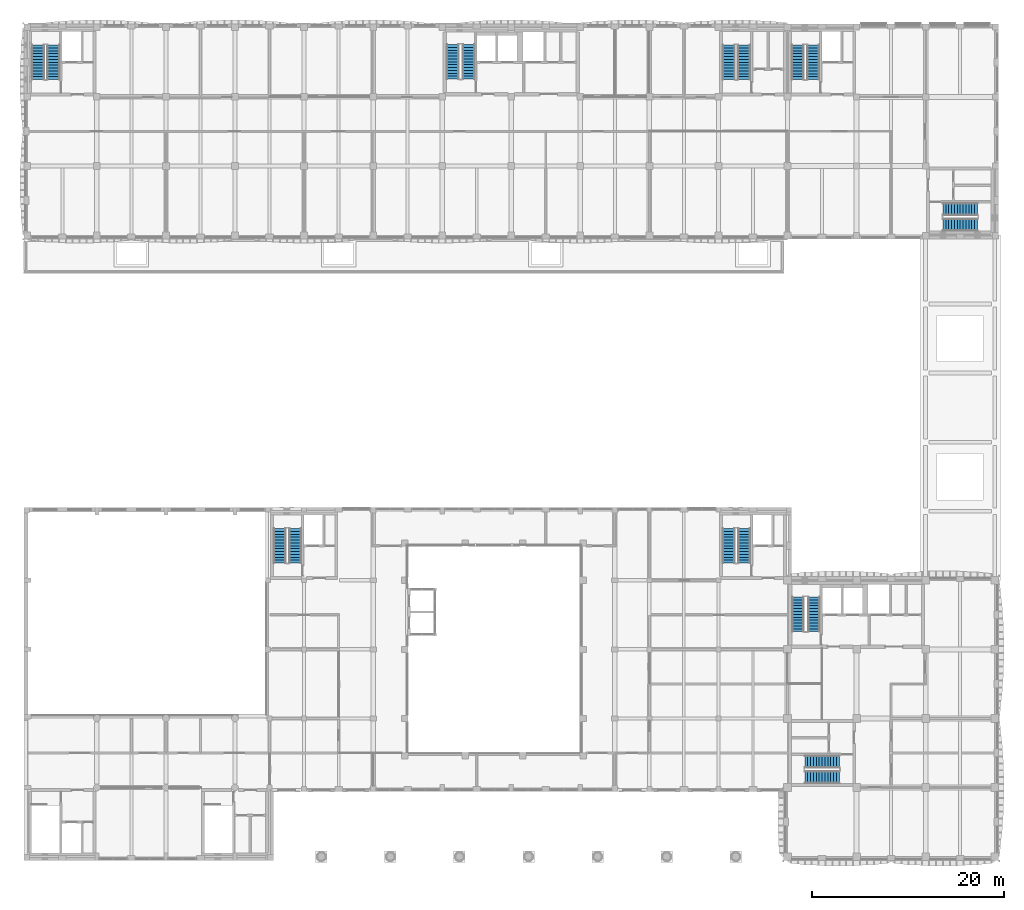
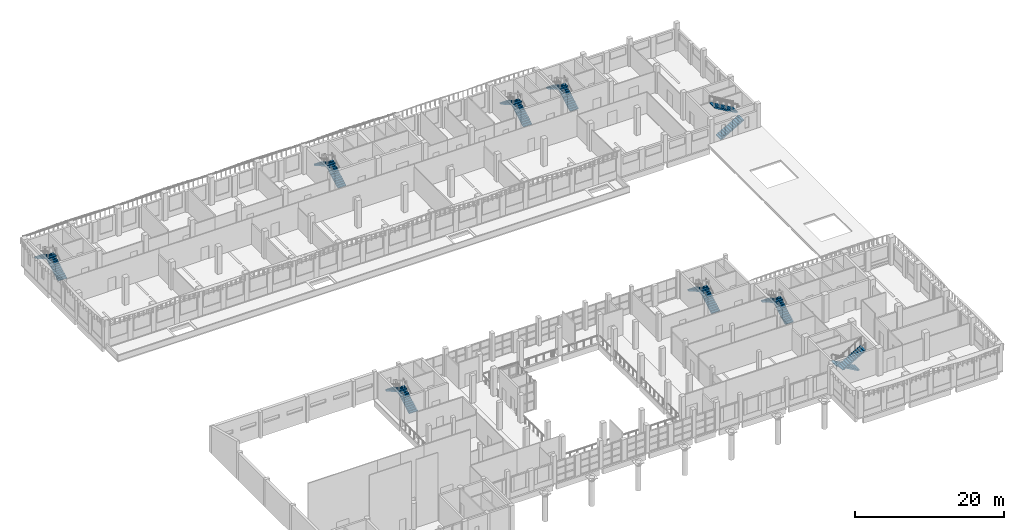
# One storey, part 33 of 59: 18 stair flights, 9 elements without a shape of their own.
"""IFC4 building model written with IfcOpenShell, lengths in metres."""

import ifcopenshell
import ifcopenshell.guid

model = None  # the IFC model being written
_history = None  # IfcOwnerHistory: only IFC2X3 demands one
_inside = {}  # id of a spatial element -> (the spatial element, [elements in it])
_under = {}  # id of a project, library or spatial element -> (it, [spatial elements below it])
_declared = {}  # id of a project -> (the project, [libraries it declares])
_typed = {}  # id of a type object -> (the type object, [elements of that type])
_made_of = {}  # id of a material, layer set ... -> (it, [elements and type objects made of it])


def new_model(schema):
    """Start an empty IFC model of exactly this schema.

    Asked for "IFC4X3", IfcOpenShell would pick the latest addendum, in which some entities
    have other attributes; the version numbers below select the first issue.
    IFC2X3 requires an IfcOwnerHistory on every rooted entity: one is made here for all.
    """
    global model, _history
    if schema == "IFC4X3":
        model = ifcopenshell.file(schema_version=(4, 3, 0, 0))
    else:
        model = ifcopenshell.file(schema=schema)
    _inside.clear()
    _under.clear()
    _declared.clear()
    _typed.clear()
    _made_of.clear()
    _history = None
    if model.schema == "IFC2X3":
        org = make("IfcOrganization", Name="unknown")
        user = make(
            "IfcPersonAndOrganization",
            ThePerson=make("IfcPerson", FamilyName="unknown"),
            TheOrganization=org,
        )
        app = make(
            "IfcApplication",
            ApplicationDeveloper=org,
            Version="unknown",
            ApplicationFullName="unknown",
            ApplicationIdentifier="unknown",
        )
        _history = make(
            "IfcOwnerHistory",
            OwningUser=user,
            OwningApplication=app,
            ChangeAction="ADDED",
            CreationDate=0,
        )
    return model


def make(cls, **values):
    """One entity of the class cls with the attributes given. An attribute that is None is left unset."""
    return model.create_entity(
        cls, **{name: value for name, value in values.items() if value is not None}
    )


def rooted(cls, **values):
    """An entity with a GlobalId (a new one), such as an element, a storey or a relation."""
    return make(cls, GlobalId=ifcopenshell.guid.new(), OwnerHistory=_history, **values)


def si_unit(unit_type, name, prefix=None):
    """IfcSIUnit, for example si_unit("LENGTHUNIT", "METRE", prefix="MILLI")."""
    return make("IfcSIUnit", UnitType=unit_type, Prefix=prefix, Name=name)


def assignment(units):
    """IfcUnitAssignment: the units of a project."""
    return None if units is None else make("IfcUnitAssignment", Units=units)


def point(xyz):
    """IfcCartesianPoint."""
    return None if xyz is None else make("IfcCartesianPoint", Coordinates=xyz)


def direction(xyz):
    """IfcDirection."""
    return None if xyz is None else make("IfcDirection", DirectionRatios=xyz)


def frame(location, z_axis=None, x_axis=None):
    """IfcAxis2Placement3D, a coordinate frame: its origin and axes. An axis left out is left unset."""
    return make(
        "IfcAxis2Placement3D",
        Location=point(location),
        Axis=direction(z_axis),
        RefDirection=direction(x_axis),
    )


def origin():
    """The frame at (0, 0, 0) with its axes left unset."""
    return frame((0.0, 0.0, 0.0))


def place(relative_to, where):
    """IfcLocalPlacement: puts the frame where relative to a parent placement (None: the world)."""
    return make(
        "IfcLocalPlacement", PlacementRelTo=relative_to, RelativePlacement=where
    )


def context(
    kind, dimensions, precision=None, world=None, true_north=None, identifier=None
):
    """IfcGeometricRepresentationContext, for example the 3D "Model" context."""
    return make(
        "IfcGeometricRepresentationContext",
        ContextIdentifier=identifier,
        ContextType=kind,
        CoordinateSpaceDimension=dimensions,
        Precision=precision,
        WorldCoordinateSystem=world,
        TrueNorth=true_north,
    )


def subcontext(parent, identifier, kind, view, scale=None):
    """IfcGeometricRepresentationSubContext, for example "Body" below "Model"."""
    return make(
        "IfcGeometricRepresentationSubContext",
        ContextIdentifier=identifier,
        ContextType=kind,
        ParentContext=parent,
        TargetScale=scale,
        TargetView=view,
    )


def project(units=None, contexts=None):
    """IfcProject with its units and contexts."""
    return rooted(
        "IfcProject",
        Name="project",
        RepresentationContexts=contexts,
        UnitsInContext=assignment(units),
    )


def spatial(cls, under=None, at=None, **own):
    """A site, building, storey or space (cls), placed at a placement, below another one or the project."""
    s = rooted(cls, ObjectPlacement=at, **own)
    if under is not None:
        _under.setdefault(under.id(), (under, []))[1].append(s)
    return s


def polyline(points):
    """IfcPolyline through the points."""
    return make("IfcPolyline", Points=[point(p) for p in points])


def outline(outer, holes=None, kind="AREA"):
    """IfcArbitraryClosedProfileDef: a profile drawn as a closed curve; with holes, ...WithVoids."""
    if holes is None:
        return make("IfcArbitraryClosedProfileDef", ProfileType=kind, OuterCurve=outer)
    return make(
        "IfcArbitraryProfileDefWithVoids",
        ProfileType=kind,
        OuterCurve=outer,
        InnerCurves=holes,
    )


def extrude(swept, where, along, depth):
    """IfcExtrudedAreaSolid: the profile swept, set in the frame where, extruded along a direction by depth."""
    return make(
        "IfcExtrudedAreaSolid",
        SweptArea=swept,
        Position=where,
        ExtrudedDirection=direction(along),
        Depth=depth,
    )


def shape(context_of_items, identifier, shape_type, items):
    """IfcShapeRepresentation: the items that make up one representation, for example the "Body"."""
    return make(
        "IfcShapeRepresentation",
        ContextOfItems=context_of_items,
        RepresentationIdentifier=identifier,
        RepresentationType=shape_type,
        Items=items,
    )


def material(Name=None, Category=None):
    """IfcMaterial."""
    return make("IfcMaterial", Name=Name, Category=Category)


def made_of(thing, what):
    """Note that an element or type object is made of a material, layer set ...; save() writes the relation."""
    if what is not None:
        _made_of.setdefault(what.id(), (what, []))[1].append(thing)
    return thing


def type_object(cls, material=None, **own):
    """A type object (cls), such as IfcWallType, which elements share."""
    return made_of(rooted(cls, **own), material)


def element(
    cls,
    number,
    at=None,
    inside=None,
    cuts=None,
    type_object=None,
    material=None,
    context=None,
    identifier="Body",
    shape_type=None,
    held_by="IfcProductDefinitionShape",
    body=None,
    shapes=None,
    **own,
):
    """One element of the class cls, such as IfcWall. Its Tag is "e" and its number.

    at: its placement. inside: the storey or other place that contains it. cuts: it is an
    opening in that element (IfcRelVoidsElement). A single representation is given by context,
    identifier, shape_type and body (its items); several are given by shapes. held_by: the class
    of the entity that holds the representations. save() writes the other relations.
    """
    e = rooted(cls, Tag="e%d" % number, ObjectPlacement=at, **own)
    if body is not None:
        shapes = [shape(context, identifier, shape_type, body)]
    if shapes is not None:
        e.Representation = make(held_by, Representations=shapes)
    if inside is not None:
        _inside.setdefault(inside.id(), (inside, []))[1].append(e)
    if cuts is not None:
        rooted(
            "IfcRelVoidsElement", RelatingBuildingElement=cuts, RelatedOpeningElement=e
        )
    if type_object is not None:
        _typed.setdefault(type_object.id(), (type_object, []))[1].append(e)
    return made_of(e, material)


def aggregate(whole, parts):
    """IfcRelAggregates: a whole, such as a stair, and the parts it consists of."""
    return rooted("IfcRelAggregates", RelatingObject=whole, RelatedObjects=parts)


def save(model, path):
    """Write the relations noted so far, then the file.

    IfcRelAggregates (storeys below a building ...), IfcRelContainedInSpatialStructure (elements
    in a storey), IfcRelDefinesByType, IfcRelAssociatesMaterial and IfcRelDeclares: one each for
    every whole, place, type object, material and project.
    """
    for whole, parts in _under.values():
        aggregate(whole, parts)
    for where, things in _inside.values():
        rooted(
            "IfcRelContainedInSpatialStructure",
            RelatedElements=things,
            RelatingStructure=where,
        )
    for kind, things in _typed.values():
        rooted("IfcRelDefinesByType", RelatedObjects=things, RelatingType=kind)
    for what, things in _made_of.values():
        rooted("IfcRelAssociatesMaterial", RelatedObjects=things, RelatingMaterial=what)
    for by, libraries in _declared.values():
        rooted("IfcRelDeclares", RelatingContext=by, RelatedDefinitions=libraries)
    model.write(path)


model = new_model("IFC4")

# Units and contexts
model_context = context("Model", 3, precision=1e-05, world=origin(), true_north=direction((0.0, 1.0)))
body_context = subcontext(model_context, "Body", "Model", "MODEL_VIEW")
ifc_project = project(units=[si_unit("LENGTHUNIT", "METRE"), si_unit("AREAUNIT", "SQUARE_METRE"), si_unit("VOLUMEUNIT", "CUBIC_METRE"), si_unit("PLANEANGLEUNIT", "RADIAN"), si_unit("MASSUNIT", "GRAM", prefix="KILO")], contexts=[model_context])

# Site, building, storey
site_placement = place(None, origin())
site = spatial("IfcSite", under=ifc_project, at=site_placement, CompositionType="ELEMENT")
building_placement = place(site_placement, origin())
building = spatial("IfcBuilding", under=site, at=building_placement, Name="Ussher Court Research Institute", CompositionType="ELEMENT")
storey_placement = place(building_placement, frame((0.0, 0.0, 5.39990234375)))
storey = spatial("IfcBuildingStorey", under=building, at=storey_placement, Name="L01", CompositionType="ELEMENT", Elevation=5.39990234375)

# Stair, stair flights
ifc_material_1 = material(Name="Concrete C35/45", Category="concrete")
stair_type_1 = type_object("IfcStairType", Name="Core stair 26 risers 173 mm x 300 going 1280 wide", PredefinedType="HALF_TURN_STAIR", material=ifc_material_1)
stair_1_placement = place(storey_placement, origin())
stair_1 = element("IfcStair", 1, at=stair_1_placement, inside=storey, type_object=stair_type_1, Name="L01 Stair D2", PredefinedType="HALF_TURN_STAIR")
ifc_material_2 = material(Name="Concrete C35/45", Category="concrete")
stair_flight_type_1 = type_object("IfcStairFlightType", Name="Stair flight 13 risers 1280 RC", PredefinedType="STRAIGHT", material=ifc_material_2)
stair_flight_1_placement = place(storey_placement, frame((48.9599609375, 85.050048828125, 0.0), z_axis=(0.0, 0.0, 1.0), x_axis=(0.0, 1.0, 0.0)))
stair_flight_1 = element("IfcStairFlight", 2, at=stair_flight_1_placement, type_object=stair_flight_type_1, Name="D2 flight 1", NumberOfRisers=13, NumberOfTreads=12, PredefinedType="STRAIGHT", RiserHeight=0.173076923, TreadLength=0.3, context=body_context, shape_type="SweptSolid", body=[
    extrude(outline(polyline([(0.0, 0.0), (0.0, 0.173095703125), (0.300048828125, 0.173095703125), (0.300048828125, 0.34619140625), (0.60009765625, 0.34619140625), (0.60009765625, 0.519287109375), (0.89990234375, 0.519287109375), (0.89990234375, 0.6923828125), (1.199951171875, 0.6923828125), (1.199951171875, 0.865478515625), (1.5, 0.865478515625), (1.5, 1.03857421875), (1.800048828125, 1.03857421875), (1.800048828125, 1.21142578125), (2.10009765625, 1.21142578125), (2.10009765625, 1.384521484375), (2.39990234375, 1.384521484375), (2.39990234375, 1.5576171875), (2.699951171875, 1.5576171875), (2.699951171875, 1.730712890625), (3.0, 1.730712890625), (3.0, 1.90380859375), (3.300048828125, 1.90380859375), (3.300048828125, 2.076904296875), (3.60009765625, 2.076904296875), (3.60009765625, 2.25), (3.60009765625, 1.90380859375), (0.300048828125, 0.0), (0.0, 0.0)])), frame((0.0, 0.64013671875, 0.0), z_axis=(0.0, -1.0, 0.0), x_axis=(1.0, 0.0, 0.0)), (0.0, 0.0, 1.0), 1.280029296875),
])
stair_flight_2_placement = place(storey_placement, frame((47.2900390625, 88.64990234375, 2.25), z_axis=(0.0, 0.0, 1.0), x_axis=(0.0, -1.0, 0.0)))
stair_flight_2 = element("IfcStairFlight", 3, at=stair_flight_2_placement, type_object=stair_flight_type_1, Name="D2 flight 2", NumberOfRisers=13, NumberOfTreads=12, PredefinedType="STRAIGHT", RiserHeight=0.173076923, TreadLength=0.3, context=body_context, shape_type="SweptSolid", body=[
    extrude(outline(polyline([(0.0, 0.0), (0.0, 0.173095703125), (0.300048828125, 0.173095703125), (0.300048828125, 0.34619140625), (0.60009765625, 0.34619140625), (0.60009765625, 0.519287109375), (0.89990234375, 0.519287109375), (0.89990234375, 0.6923828125), (1.199951171875, 0.6923828125), (1.199951171875, 0.865478515625), (1.5, 0.865478515625), (1.5, 1.03857421875), (1.800048828125, 1.03857421875), (1.800048828125, 1.21142578125), (2.10009765625, 1.21142578125), (2.10009765625, 1.384521484375), (2.39990234375, 1.384521484375), (2.39990234375, 1.5576171875), (2.699951171875, 1.5576171875), (2.699951171875, 1.730712890625), (3.0, 1.730712890625), (3.0, 1.90380859375), (3.300048828125, 1.90380859375), (3.300048828125, 2.076904296875), (3.60009765625, 2.076904296875), (3.60009765625, 2.25), (3.60009765625, 1.90380859375), (0.300048828125, 0.0), (0.0, 0.0)])), frame((0.0, 0.64013671875, 0.0), z_axis=(0.0, -1.0, 0.0), x_axis=(1.0, 0.0, 0.0)), (0.0, 0.0, 1.0), 1.280029296875),
])
aggregate(stair_1, [stair_flight_1, stair_flight_2])

stair_2_placement = place(storey_placement, origin())
stair_2 = element("IfcStair", 4, at=stair_2_placement, inside=storey, type_object=stair_type_1, Name="L01 Stair T1", PredefinedType="HALF_TURN_STAIR")
stair_flight_3_placement = place(storey_placement, frame((84.9599609375, 27.449951171875, 0.0), z_axis=(0.0, 0.0, 1.0), x_axis=(0.0, 1.0, 0.0)))
stair_flight_3 = element("IfcStairFlight", 5, at=stair_flight_3_placement, type_object=stair_flight_type_1, Name="T1 flight 1", NumberOfRisers=13, NumberOfTreads=12, PredefinedType="STRAIGHT", RiserHeight=0.173076923, TreadLength=0.3, context=body_context, shape_type="SweptSolid", body=[
    extrude(outline(polyline([(0.0, 0.0), (0.0, 0.173095703125), (0.300048828125, 0.173095703125), (0.300048828125, 0.34619140625), (0.60009765625, 0.34619140625), (0.60009765625, 0.519287109375), (0.89990234375, 0.519287109375), (0.89990234375, 0.6923828125), (1.199951171875, 0.6923828125), (1.199951171875, 0.865478515625), (1.5, 0.865478515625), (1.5, 1.03857421875), (1.800048828125, 1.03857421875), (1.800048828125, 1.21142578125), (2.10009765625, 1.21142578125), (2.10009765625, 1.384521484375), (2.39990234375, 1.384521484375), (2.39990234375, 1.5576171875), (2.699951171875, 1.5576171875), (2.699951171875, 1.730712890625), (3.0, 1.730712890625), (3.0, 1.90380859375), (3.300048828125, 1.90380859375), (3.300048828125, 2.076904296875), (3.60009765625, 2.076904296875), (3.60009765625, 2.25), (3.60009765625, 1.90380859375), (0.300048828125, 0.0), (0.0, 0.0)])), frame((0.0, 0.64013671875, 0.0), z_axis=(0.0, -1.0, 0.0), x_axis=(1.0, 0.0, 0.0)), (0.0, 0.0, 1.0), 1.280029296875),
])
stair_flight_4_placement = place(storey_placement, frame((83.2900390625, 31.050048828125, 2.25), z_axis=(0.0, 0.0, 1.0), x_axis=(0.0, -1.0, 0.0)))
stair_flight_4 = element("IfcStairFlight", 6, at=stair_flight_4_placement, type_object=stair_flight_type_1, Name="T1 flight 2", NumberOfRisers=13, NumberOfTreads=12, PredefinedType="STRAIGHT", RiserHeight=0.173076923, TreadLength=0.3, context=body_context, shape_type="SweptSolid", body=[
    extrude(outline(polyline([(0.0, 0.0), (0.0, 0.173095703125), (0.300048828125, 0.173095703125), (0.300048828125, 0.34619140625), (0.60009765625, 0.34619140625), (0.60009765625, 0.519287109375), (0.89990234375, 0.519287109375), (0.89990234375, 0.6923828125), (1.199951171875, 0.6923828125), (1.199951171875, 0.865478515625), (1.5, 0.865478515625), (1.5, 1.03857421875), (1.800048828125, 1.03857421875), (1.800048828125, 1.21142578125), (2.10009765625, 1.21142578125), (2.10009765625, 1.384521484375), (2.39990234375, 1.384521484375), (2.39990234375, 1.5576171875), (2.699951171875, 1.5576171875), (2.699951171875, 1.730712890625), (3.0, 1.730712890625), (3.0, 1.90380859375), (3.300048828125, 1.90380859375), (3.300048828125, 2.076904296875), (3.60009765625, 2.076904296875), (3.60009765625, 2.25), (3.60009765625, 1.90380859375), (0.300048828125, 0.0), (0.0, 0.0)])), frame((0.0, 0.64013671875, 0.0), z_axis=(0.0, -1.0, 0.0), x_axis=(1.0, 0.0, 0.0)), (0.0, 0.0, 1.0), 1.280029296875),
])
aggregate(stair_2, [stair_flight_3, stair_flight_4])

ifc_material_3 = material(Name="Concrete C35/45", Category="concrete")
stair_type_2 = type_object("IfcStairType", Name="Core stair 26 risers 173 mm x 300 going 1300 wide", PredefinedType="HALF_TURN_STAIR", material=ifc_material_3)
stair_3_placement = place(storey_placement, origin())
stair_3 = element("IfcStair", 7, at=stair_3_placement, inside=storey, type_object=stair_type_2, Name="L01 Stair C1", PredefinedType="HALF_TURN_STAIR")
ifc_material_4 = material(Name="Concrete C35/45", Category="concrete")
stair_flight_type_2 = type_object("IfcStairFlightType", Name="Stair flight 13 risers 1300 RC", PredefinedType="STRAIGHT", material=ifc_material_4)
stair_flight_5_placement = place(storey_placement, frame((84.89990234375, 85.0, 0.0), z_axis=(0.0, 0.0, 1.0), x_axis=(0.0, 1.0, 0.0)))
stair_flight_5 = element("IfcStairFlight", 8, at=stair_flight_5_placement, type_object=stair_flight_type_2, Name="C1 flight 1", NumberOfRisers=13, NumberOfTreads=12, PredefinedType="STRAIGHT", RiserHeight=0.173076923, TreadLength=0.3, context=body_context, shape_type="SweptSolid", body=[
    extrude(outline(polyline([(0.0, 0.0), (0.0, 0.173095703125), (0.300048828125, 0.173095703125), (0.300048828125, 0.34619140625), (0.60009765625, 0.34619140625), (0.60009765625, 0.519287109375), (0.89990234375, 0.519287109375), (0.89990234375, 0.6923828125), (1.199951171875, 0.6923828125), (1.199951171875, 0.865478515625), (1.5, 0.865478515625), (1.5, 1.03857421875), (1.800048828125, 1.03857421875), (1.800048828125, 1.21142578125), (2.10009765625, 1.21142578125), (2.10009765625, 1.384521484375), (2.39990234375, 1.384521484375), (2.39990234375, 1.5576171875), (2.699951171875, 1.5576171875), (2.699951171875, 1.730712890625), (3.0, 1.730712890625), (3.0, 1.90380859375), (3.300048828125, 1.90380859375), (3.300048828125, 2.076904296875), (3.60009765625, 2.076904296875), (3.60009765625, 2.25), (3.60009765625, 1.90380859375), (0.300048828125, 0.0), (0.0, 0.0)])), frame((0.0, 0.64990234375, 0.0), z_axis=(0.0, -1.0, 0.0), x_axis=(1.0, 0.0, 0.0)), (0.0, 0.0, 1.0), 1.300048828125),
])
stair_flight_6_placement = place(storey_placement, frame((83.25, 88.60009765625, 2.25), z_axis=(0.0, 0.0, 1.0), x_axis=(0.0, -1.0, 0.0)))
stair_flight_6 = element("IfcStairFlight", 9, at=stair_flight_6_placement, type_object=stair_flight_type_2, Name="C1 flight 2", NumberOfRisers=13, NumberOfTreads=12, PredefinedType="STRAIGHT", RiserHeight=0.173076923, TreadLength=0.3, context=body_context, shape_type="SweptSolid", body=[
    extrude(outline(polyline([(0.0, 0.0), (0.0, 0.173095703125), (0.300048828125, 0.173095703125), (0.300048828125, 0.34619140625), (0.60009765625, 0.34619140625), (0.60009765625, 0.519287109375), (0.89990234375, 0.519287109375), (0.89990234375, 0.6923828125), (1.199951171875, 0.6923828125), (1.199951171875, 0.865478515625), (1.5, 0.865478515625), (1.5, 1.03857421875), (1.800048828125, 1.03857421875), (1.800048828125, 1.21142578125), (2.10009765625, 1.21142578125), (2.10009765625, 1.384521484375), (2.39990234375, 1.384521484375), (2.39990234375, 1.5576171875), (2.699951171875, 1.5576171875), (2.699951171875, 1.730712890625), (3.0, 1.730712890625), (3.0, 1.90380859375), (3.300048828125, 1.90380859375), (3.300048828125, 2.076904296875), (3.60009765625, 2.076904296875), (3.60009765625, 2.25), (3.60009765625, 1.90380859375), (0.300048828125, 0.0), (0.0, 0.0)])), frame((0.0, 0.64990234375, 0.0), z_axis=(0.0, -1.0, 0.0), x_axis=(1.0, 0.0, 0.0)), (0.0, 0.0, 1.0), 1.300048828125),
])
aggregate(stair_3, [stair_flight_5, stair_flight_6])

stair_4_placement = place(storey_placement, origin())
stair_4 = element("IfcStair", 10, at=stair_4_placement, inside=storey, type_object=stair_type_2, Name="L01 Stair C2", PredefinedType="HALF_TURN_STAIR")
stair_flight_7_placement = place(storey_placement, frame((98.39990234375, 69.85009765625, 0.0), z_axis=(0.0, 0.0, 1.0), x_axis=(1.0, 0.0, 0.0)))
stair_flight_7 = element("IfcStairFlight", 11, at=stair_flight_7_placement, type_object=stair_flight_type_2, Name="C2 flight 1", NumberOfRisers=13, NumberOfTreads=12, PredefinedType="STRAIGHT", RiserHeight=0.173076923, TreadLength=0.3, context=body_context, shape_type="SweptSolid", body=[
    extrude(outline(polyline([(0.0, 0.0), (0.0, 0.173095703125), (0.300048828125, 0.173095703125), (0.300048828125, 0.34619140625), (0.60009765625, 0.34619140625), (0.60009765625, 0.519287109375), (0.89990234375, 0.519287109375), (0.89990234375, 0.6923828125), (1.199951171875, 0.6923828125), (1.199951171875, 0.865478515625), (1.5, 0.865478515625), (1.5, 1.03857421875), (1.800048828125, 1.03857421875), (1.800048828125, 1.21142578125), (2.10009765625, 1.21142578125), (2.10009765625, 1.384521484375), (2.39990234375, 1.384521484375), (2.39990234375, 1.5576171875), (2.699951171875, 1.5576171875), (2.699951171875, 1.730712890625), (3.0, 1.730712890625), (3.0, 1.90380859375), (3.300048828125, 1.90380859375), (3.300048828125, 2.076904296875), (3.60009765625, 2.076904296875), (3.60009765625, 2.25), (3.60009765625, 1.90380859375), (0.300048828125, 0.0), (0.0, 0.0)])), frame((0.0, 0.64990234375, 0.0), z_axis=(0.0, -1.0, 0.0), x_axis=(1.0, 0.0, 0.0)), (0.0, 0.0, 1.0), 1.300048828125),
])
stair_flight_8_placement = place(storey_placement, frame((102.0, 71.5, 2.25), z_axis=(0.0, 0.0, 1.0), x_axis=(-1.0, 0.0, 0.0)))
stair_flight_8 = element("IfcStairFlight", 12, at=stair_flight_8_placement, type_object=stair_flight_type_2, Name="C2 flight 2", NumberOfRisers=13, NumberOfTreads=12, PredefinedType="STRAIGHT", RiserHeight=0.173076923, TreadLength=0.3, context=body_context, shape_type="SweptSolid", body=[
    extrude(outline(polyline([(0.0, 0.0), (0.0, 0.173095703125), (0.300048828125, 0.173095703125), (0.300048828125, 0.34619140625), (0.60009765625, 0.34619140625), (0.60009765625, 0.519287109375), (0.89990234375, 0.519287109375), (0.89990234375, 0.6923828125), (1.199951171875, 0.6923828125), (1.199951171875, 0.865478515625), (1.5, 0.865478515625), (1.5, 1.03857421875), (1.800048828125, 1.03857421875), (1.800048828125, 1.21142578125), (2.10009765625, 1.21142578125), (2.10009765625, 1.384521484375), (2.39990234375, 1.384521484375), (2.39990234375, 1.5576171875), (2.699951171875, 1.5576171875), (2.699951171875, 1.730712890625), (3.0, 1.730712890625), (3.0, 1.90380859375), (3.300048828125, 1.90380859375), (3.300048828125, 2.076904296875), (3.60009765625, 2.076904296875), (3.60009765625, 2.25), (3.60009765625, 1.90380859375), (0.300048828125, 0.0), (0.0, 0.0)])), frame((0.0, 0.64990234375, 0.0), z_axis=(0.0, -1.0, 0.0), x_axis=(1.0, 0.0, 0.0)), (0.0, 0.0, 1.0), 1.300048828125),
])
aggregate(stair_4, [stair_flight_7, stair_flight_8])

stair_5_placement = place(storey_placement, origin())
stair_5 = element("IfcStair", 13, at=stair_5_placement, inside=storey, type_object=stair_type_2, Name="L01 Stair E1", PredefinedType="HALF_TURN_STAIR")
stair_flight_9_placement = place(storey_placement, frame((77.699951171875, 34.60009765625, 0.0), z_axis=(0.0, 0.0, 1.0), x_axis=(0.0, 1.0, 0.0)))
stair_flight_9 = element("IfcStairFlight", 14, at=stair_flight_9_placement, type_object=stair_flight_type_2, Name="E1 flight 1", NumberOfRisers=13, NumberOfTreads=12, PredefinedType="STRAIGHT", RiserHeight=0.173076923, TreadLength=0.3, context=body_context, shape_type="SweptSolid", body=[
    extrude(outline(polyline([(0.0, 0.0), (0.0, 0.173095703125), (0.300048828125, 0.173095703125), (0.300048828125, 0.34619140625), (0.60009765625, 0.34619140625), (0.60009765625, 0.519287109375), (0.89990234375, 0.519287109375), (0.89990234375, 0.6923828125), (1.199951171875, 0.6923828125), (1.199951171875, 0.865478515625), (1.5, 0.865478515625), (1.5, 1.03857421875), (1.800048828125, 1.03857421875), (1.800048828125, 1.21142578125), (2.10009765625, 1.21142578125), (2.10009765625, 1.384521484375), (2.39990234375, 1.384521484375), (2.39990234375, 1.5576171875), (2.699951171875, 1.5576171875), (2.699951171875, 1.730712890625), (3.0, 1.730712890625), (3.0, 1.90380859375), (3.300048828125, 1.90380859375), (3.300048828125, 2.076904296875), (3.60009765625, 2.076904296875), (3.60009765625, 2.25), (3.60009765625, 1.90380859375), (0.300048828125, 0.0), (0.0, 0.0)])), frame((0.0, 0.64990234375, 0.0), z_axis=(0.0, -1.0, 0.0), x_axis=(1.0, 0.0, 0.0)), (0.0, 0.0, 1.0), 1.300048828125),
])
stair_flight_10_placement = place(storey_placement, frame((76.050048828125, 38.199951171875, 2.25), z_axis=(0.0, 0.0, 1.0), x_axis=(0.0, -1.0, 0.0)))
stair_flight_10 = element("IfcStairFlight", 15, at=stair_flight_10_placement, type_object=stair_flight_type_2, Name="E1 flight 2", NumberOfRisers=13, NumberOfTreads=12, PredefinedType="STRAIGHT", RiserHeight=0.173076923, TreadLength=0.3, context=body_context, shape_type="SweptSolid", body=[
    extrude(outline(polyline([(0.0, 0.0), (0.0, 0.173095703125), (0.300048828125, 0.173095703125), (0.300048828125, 0.34619140625), (0.60009765625, 0.34619140625), (0.60009765625, 0.519287109375), (0.89990234375, 0.519287109375), (0.89990234375, 0.6923828125), (1.199951171875, 0.6923828125), (1.199951171875, 0.865478515625), (1.5, 0.865478515625), (1.5, 1.03857421875), (1.800048828125, 1.03857421875), (1.800048828125, 1.21142578125), (2.10009765625, 1.21142578125), (2.10009765625, 1.384521484375), (2.39990234375, 1.384521484375), (2.39990234375, 1.5576171875), (2.699951171875, 1.5576171875), (2.699951171875, 1.730712890625), (3.0, 1.730712890625), (3.0, 1.90380859375), (3.300048828125, 1.90380859375), (3.300048828125, 2.076904296875), (3.60009765625, 2.076904296875), (3.60009765625, 2.25), (3.60009765625, 1.90380859375), (0.300048828125, 0.0), (0.0, 0.0)])), frame((0.0, 0.64990234375, 0.0), z_axis=(0.0, -1.0, 0.0), x_axis=(1.0, 0.0, 0.0)), (0.0, 0.0, 1.0), 1.300048828125),
])
aggregate(stair_5, [stair_flight_9, stair_flight_10])

stair_6_placement = place(storey_placement, origin())
stair_6 = element("IfcStair", 16, at=stair_6_placement, inside=storey, type_object=stair_type_2, Name="L01 Stair T2", PredefinedType="HALF_TURN_STAIR")
stair_flight_11_placement = place(storey_placement, frame((87.60009765625, 13.89990234375, 0.0), z_axis=(0.0, 0.0, 1.0), x_axis=(-1.0, 0.0, 0.0)))
stair_flight_11 = element("IfcStairFlight", 17, at=stair_flight_11_placement, type_object=stair_flight_type_2, Name="T2 flight 1", NumberOfRisers=13, NumberOfTreads=12, PredefinedType="STRAIGHT", RiserHeight=0.173076923, TreadLength=0.3, context=body_context, shape_type="SweptSolid", body=[
    extrude(outline(polyline([(0.0, 0.0), (0.0, 0.173095703125), (0.300048828125, 0.173095703125), (0.300048828125, 0.34619140625), (0.60009765625, 0.34619140625), (0.60009765625, 0.519287109375), (0.89990234375, 0.519287109375), (0.89990234375, 0.6923828125), (1.199951171875, 0.6923828125), (1.199951171875, 0.865478515625), (1.5, 0.865478515625), (1.5, 1.03857421875), (1.800048828125, 1.03857421875), (1.800048828125, 1.21142578125), (2.10009765625, 1.21142578125), (2.10009765625, 1.384521484375), (2.39990234375, 1.384521484375), (2.39990234375, 1.5576171875), (2.699951171875, 1.5576171875), (2.699951171875, 1.730712890625), (3.0, 1.730712890625), (3.0, 1.90380859375), (3.300048828125, 1.90380859375), (3.300048828125, 2.076904296875), (3.60009765625, 2.076904296875), (3.60009765625, 2.25), (3.60009765625, 1.90380859375), (0.300048828125, 0.0), (0.0, 0.0)])), frame((0.0, 0.64990234375, 0.0), z_axis=(0.0, -1.0, 0.0), x_axis=(1.0, 0.0, 0.0)), (0.0, 0.0, 1.0), 1.300048828125),
])
stair_flight_12_placement = place(storey_placement, frame((84.0, 12.25, 2.25), z_axis=(0.0, 0.0, 1.0), x_axis=(1.0, 0.0, 0.0)))
stair_flight_12 = element("IfcStairFlight", 18, at=stair_flight_12_placement, type_object=stair_flight_type_2, Name="T2 flight 2", NumberOfRisers=13, NumberOfTreads=12, PredefinedType="STRAIGHT", RiserHeight=0.173076923, TreadLength=0.3, context=body_context, shape_type="SweptSolid", body=[
    extrude(outline(polyline([(0.0, 0.0), (0.0, 0.173095703125), (0.300048828125, 0.173095703125), (0.300048828125, 0.34619140625), (0.60009765625, 0.34619140625), (0.60009765625, 0.519287109375), (0.89990234375, 0.519287109375), (0.89990234375, 0.6923828125), (1.199951171875, 0.6923828125), (1.199951171875, 0.865478515625), (1.5, 0.865478515625), (1.5, 1.03857421875), (1.800048828125, 1.03857421875), (1.800048828125, 1.21142578125), (2.10009765625, 1.21142578125), (2.10009765625, 1.384521484375), (2.39990234375, 1.384521484375), (2.39990234375, 1.5576171875), (2.699951171875, 1.5576171875), (2.699951171875, 1.730712890625), (3.0, 1.730712890625), (3.0, 1.90380859375), (3.300048828125, 1.90380859375), (3.300048828125, 2.076904296875), (3.60009765625, 2.076904296875), (3.60009765625, 2.25), (3.60009765625, 1.90380859375), (0.300048828125, 0.0), (0.0, 0.0)])), frame((0.0, 0.64990234375, 0.0), z_axis=(0.0, -1.0, 0.0), x_axis=(1.0, 0.0, 0.0)), (0.0, 0.0, 1.0), 1.300048828125),
])
aggregate(stair_6, [stair_flight_11, stair_flight_12])

stair_7_placement = place(storey_placement, origin())
stair_7 = element("IfcStair", 19, at=stair_7_placement, inside=storey, type_object=stair_type_2, Name="L01 Stair W1", PredefinedType="HALF_TURN_STAIR")
stair_flight_13_placement = place(storey_placement, frame((30.89990234375, 34.60009765625, 0.0), z_axis=(0.0, 0.0, 1.0), x_axis=(0.0, 1.0, 0.0)))
stair_flight_13 = element("IfcStairFlight", 20, at=stair_flight_13_placement, type_object=stair_flight_type_2, Name="W1 flight 1", NumberOfRisers=13, NumberOfTreads=12, PredefinedType="STRAIGHT", RiserHeight=0.173076923, TreadLength=0.3, context=body_context, shape_type="SweptSolid", body=[
    extrude(outline(polyline([(0.0, 0.0), (0.0, 0.173095703125), (0.300048828125, 0.173095703125), (0.300048828125, 0.34619140625), (0.60009765625, 0.34619140625), (0.60009765625, 0.519287109375), (0.89990234375, 0.519287109375), (0.89990234375, 0.6923828125), (1.199951171875, 0.6923828125), (1.199951171875, 0.865478515625), (1.5, 0.865478515625), (1.5, 1.03857421875), (1.800048828125, 1.03857421875), (1.800048828125, 1.21142578125), (2.10009765625, 1.21142578125), (2.10009765625, 1.384521484375), (2.39990234375, 1.384521484375), (2.39990234375, 1.5576171875), (2.699951171875, 1.5576171875), (2.699951171875, 1.730712890625), (3.0, 1.730712890625), (3.0, 1.90380859375), (3.300048828125, 1.90380859375), (3.300048828125, 2.076904296875), (3.60009765625, 2.076904296875), (3.60009765625, 2.25), (3.60009765625, 1.90380859375), (0.300048828125, 0.0), (0.0, 0.0)])), frame((0.0, 0.64990234375, 0.0), z_axis=(0.0, -1.0, 0.0), x_axis=(1.0, 0.0, 0.0)), (0.0, 0.0, 1.0), 1.300048828125),
])
stair_flight_14_placement = place(storey_placement, frame((29.25, 38.199951171875, 2.25), z_axis=(0.0, 0.0, 1.0), x_axis=(0.0, -1.0, 0.0)))
stair_flight_14 = element("IfcStairFlight", 21, at=stair_flight_14_placement, type_object=stair_flight_type_2, Name="W1 flight 2", NumberOfRisers=13, NumberOfTreads=12, PredefinedType="STRAIGHT", RiserHeight=0.173076923, TreadLength=0.3, context=body_context, shape_type="SweptSolid", body=[
    extrude(outline(polyline([(0.0, 0.0), (0.0, 0.173095703125), (0.300048828125, 0.173095703125), (0.300048828125, 0.34619140625), (0.60009765625, 0.34619140625), (0.60009765625, 0.519287109375), (0.89990234375, 0.519287109375), (0.89990234375, 0.6923828125), (1.199951171875, 0.6923828125), (1.199951171875, 0.865478515625), (1.5, 0.865478515625), (1.5, 1.03857421875), (1.800048828125, 1.03857421875), (1.800048828125, 1.21142578125), (2.10009765625, 1.21142578125), (2.10009765625, 1.384521484375), (2.39990234375, 1.384521484375), (2.39990234375, 1.5576171875), (2.699951171875, 1.5576171875), (2.699951171875, 1.730712890625), (3.0, 1.730712890625), (3.0, 1.90380859375), (3.300048828125, 1.90380859375), (3.300048828125, 2.076904296875), (3.60009765625, 2.076904296875), (3.60009765625, 2.25), (3.60009765625, 1.90380859375), (0.300048828125, 0.0), (0.0, 0.0)])), frame((0.0, 0.64990234375, 0.0), z_axis=(0.0, -1.0, 0.0), x_axis=(1.0, 0.0, 0.0)), (0.0, 0.0, 1.0), 1.300048828125),
])
aggregate(stair_7, [stair_flight_13, stair_flight_14])

ifc_material_5 = material(Name="Concrete C35/45", Category="concrete")
stair_type_3 = type_object("IfcStairType", Name="Core stair 26 risers 173 mm x 300 going 1350 wide", PredefinedType="HALF_TURN_STAIR", material=ifc_material_5)
stair_8_placement = place(storey_placement, origin())
stair_8 = element("IfcStair", 22, at=stair_8_placement, inside=storey, type_object=stair_type_3, Name="L01 Stair D1", PredefinedType="HALF_TURN_STAIR")
ifc_material_6 = material(Name="Concrete C35/45", Category="concrete")
stair_flight_type_3 = type_object("IfcStairFlightType", Name="Stair flight 13 risers 1350 RC", PredefinedType="STRAIGHT", material=ifc_material_6)
stair_flight_15_placement = place(storey_placement, frame((5.675048828125, 85.0, 0.0), z_axis=(0.0, 0.0, 1.0), x_axis=(0.0, 1.0, 0.0)))
stair_flight_15 = element("IfcStairFlight", 23, at=stair_flight_15_placement, type_object=stair_flight_type_3, Name="D1 flight 1", NumberOfRisers=13, NumberOfTreads=12, PredefinedType="STRAIGHT", RiserHeight=0.173076923, TreadLength=0.3, context=body_context, shape_type="SweptSolid", body=[
    extrude(outline(polyline([(0.0, 0.0), (0.0, 0.173095703125), (0.300048828125, 0.173095703125), (0.300048828125, 0.34619140625), (0.60009765625, 0.34619140625), (0.60009765625, 0.519287109375), (0.89990234375, 0.519287109375), (0.89990234375, 0.6923828125), (1.199951171875, 0.6923828125), (1.199951171875, 0.865478515625), (1.5, 0.865478515625), (1.5, 1.03857421875), (1.800048828125, 1.03857421875), (1.800048828125, 1.21142578125), (2.10009765625, 1.21142578125), (2.10009765625, 1.384521484375), (2.39990234375, 1.384521484375), (2.39990234375, 1.5576171875), (2.699951171875, 1.5576171875), (2.699951171875, 1.730712890625), (3.0, 1.730712890625), (3.0, 1.90380859375), (3.300048828125, 1.90380859375), (3.300048828125, 2.076904296875), (3.60009765625, 2.076904296875), (3.60009765625, 2.25), (3.60009765625, 1.90380859375), (0.300048828125, 0.0), (0.0, 0.0)])), frame((0.0, 0.675048828125, 0.0), z_axis=(0.0, -1.0, 0.0), x_axis=(1.0, 0.0, 0.0)), (0.0, 0.0, 1.0), 1.35009765625),
])
stair_flight_16_placement = place(storey_placement, frame((4.074951171875, 88.60009765625, 2.25), z_axis=(0.0, 0.0, 1.0), x_axis=(0.0, -1.0, 0.0)))
stair_flight_16 = element("IfcStairFlight", 24, at=stair_flight_16_placement, type_object=stair_flight_type_3, Name="D1 flight 2", NumberOfRisers=13, NumberOfTreads=12, PredefinedType="STRAIGHT", RiserHeight=0.173076923, TreadLength=0.3, context=body_context, shape_type="SweptSolid", body=[
    extrude(outline(polyline([(0.0, 0.0), (0.0, 0.173095703125), (0.300048828125, 0.173095703125), (0.300048828125, 0.34619140625), (0.60009765625, 0.34619140625), (0.60009765625, 0.519287109375), (0.89990234375, 0.519287109375), (0.89990234375, 0.6923828125), (1.199951171875, 0.6923828125), (1.199951171875, 0.865478515625), (1.5, 0.865478515625), (1.5, 1.03857421875), (1.800048828125, 1.03857421875), (1.800048828125, 1.21142578125), (2.10009765625, 1.21142578125), (2.10009765625, 1.384521484375), (2.39990234375, 1.384521484375), (2.39990234375, 1.5576171875), (2.699951171875, 1.5576171875), (2.699951171875, 1.730712890625), (3.0, 1.730712890625), (3.0, 1.90380859375), (3.300048828125, 1.90380859375), (3.300048828125, 2.076904296875), (3.60009765625, 2.076904296875), (3.60009765625, 2.25), (3.60009765625, 1.90380859375), (0.300048828125, 0.0), (0.0, 0.0)])), frame((0.0, 0.675048828125, 0.0), z_axis=(0.0, -1.0, 0.0), x_axis=(1.0, 0.0, 0.0)), (0.0, 0.0, 1.0), 1.35009765625),
])
aggregate(stair_8, [stair_flight_15, stair_flight_16])

stair_9_placement = place(storey_placement, origin())
stair_9 = element("IfcStair", 25, at=stair_9_placement, inside=storey, type_object=stair_type_3, Name="L01 Stair D3", PredefinedType="HALF_TURN_STAIR")
stair_flight_17_placement = place(storey_placement, frame((77.675048828125, 85.0, 0.0), z_axis=(0.0, 0.0, 1.0), x_axis=(0.0, 1.0, 0.0)))
stair_flight_17 = element("IfcStairFlight", 26, at=stair_flight_17_placement, type_object=stair_flight_type_3, Name="D3 flight 1", NumberOfRisers=13, NumberOfTreads=12, PredefinedType="STRAIGHT", RiserHeight=0.173076923, TreadLength=0.3, context=body_context, shape_type="SweptSolid", body=[
    extrude(outline(polyline([(0.0, 0.0), (0.0, 0.173095703125), (0.300048828125, 0.173095703125), (0.300048828125, 0.34619140625), (0.60009765625, 0.34619140625), (0.60009765625, 0.519287109375), (0.89990234375, 0.519287109375), (0.89990234375, 0.6923828125), (1.199951171875, 0.6923828125), (1.199951171875, 0.865478515625), (1.5, 0.865478515625), (1.5, 1.03857421875), (1.800048828125, 1.03857421875), (1.800048828125, 1.21142578125), (2.10009765625, 1.21142578125), (2.10009765625, 1.384521484375), (2.39990234375, 1.384521484375), (2.39990234375, 1.5576171875), (2.699951171875, 1.5576171875), (2.699951171875, 1.730712890625), (3.0, 1.730712890625), (3.0, 1.90380859375), (3.300048828125, 1.90380859375), (3.300048828125, 2.076904296875), (3.60009765625, 2.076904296875), (3.60009765625, 2.25), (3.60009765625, 1.90380859375), (0.300048828125, 0.0), (0.0, 0.0)])), frame((0.0, 0.675048828125, 0.0), z_axis=(0.0, -1.0, 0.0), x_axis=(1.0, 0.0, 0.0)), (0.0, 0.0, 1.0), 1.35009765625),
])
stair_flight_18_placement = place(storey_placement, frame((76.074951171875, 88.60009765625, 2.25), z_axis=(0.0, 0.0, 1.0), x_axis=(0.0, -1.0, 0.0)))
stair_flight_18 = element("IfcStairFlight", 27, at=stair_flight_18_placement, type_object=stair_flight_type_3, Name="D3 flight 2", NumberOfRisers=13, NumberOfTreads=12, PredefinedType="STRAIGHT", RiserHeight=0.173076923, TreadLength=0.3, context=body_context, shape_type="SweptSolid", body=[
    extrude(outline(polyline([(0.0, 0.0), (0.0, 0.173095703125), (0.300048828125, 0.173095703125), (0.300048828125, 0.34619140625), (0.60009765625, 0.34619140625), (0.60009765625, 0.519287109375), (0.89990234375, 0.519287109375), (0.89990234375, 0.6923828125), (1.199951171875, 0.6923828125), (1.199951171875, 0.865478515625), (1.5, 0.865478515625), (1.5, 1.03857421875), (1.800048828125, 1.03857421875), (1.800048828125, 1.21142578125), (2.10009765625, 1.21142578125), (2.10009765625, 1.384521484375), (2.39990234375, 1.384521484375), (2.39990234375, 1.5576171875), (2.699951171875, 1.5576171875), (2.699951171875, 1.730712890625), (3.0, 1.730712890625), (3.0, 1.90380859375), (3.300048828125, 1.90380859375), (3.300048828125, 2.076904296875), (3.60009765625, 2.076904296875), (3.60009765625, 2.25), (3.60009765625, 1.90380859375), (0.300048828125, 0.0), (0.0, 0.0)])), frame((0.0, 0.675048828125, 0.0), z_axis=(0.0, -1.0, 0.0), x_axis=(1.0, 0.0, 0.0)), (0.0, 0.0, 1.0), 1.35009765625),
])
aggregate(stair_9, [stair_flight_17, stair_flight_18])

save(model, "model.ifc")
